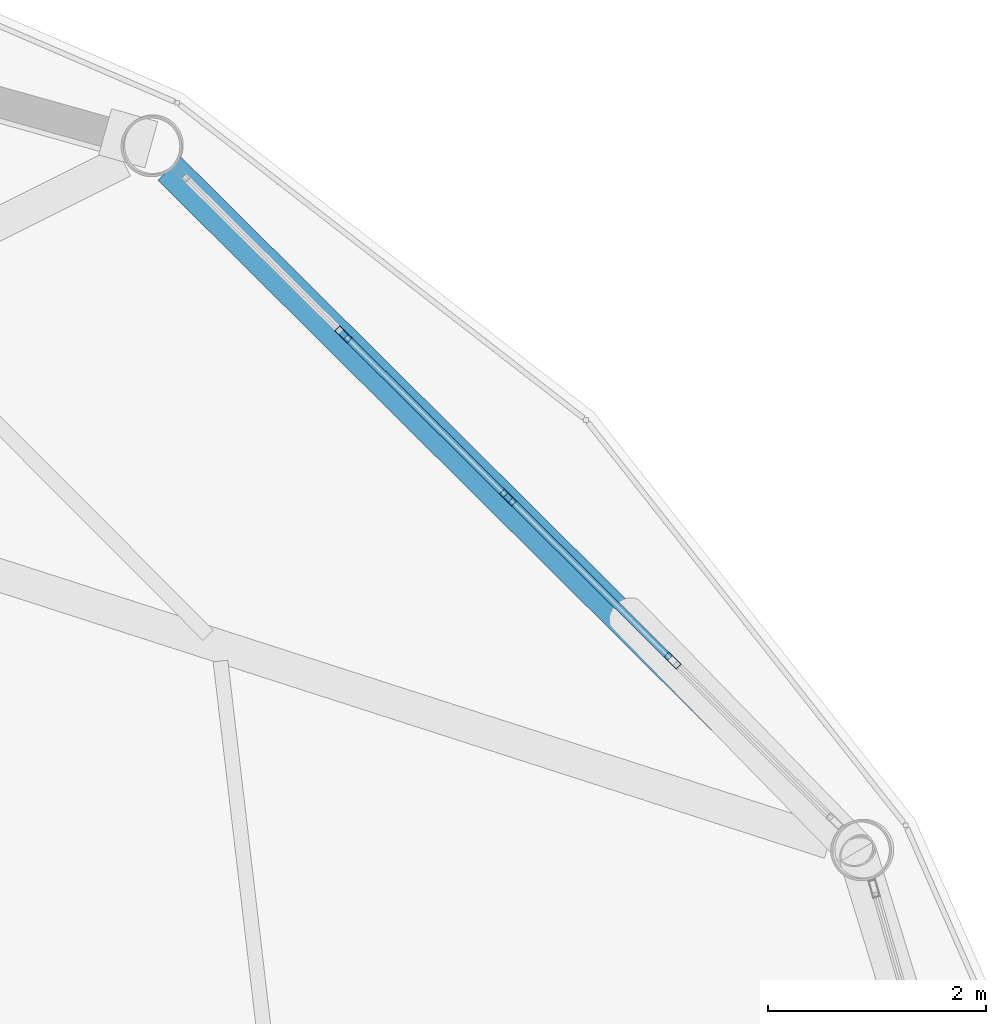
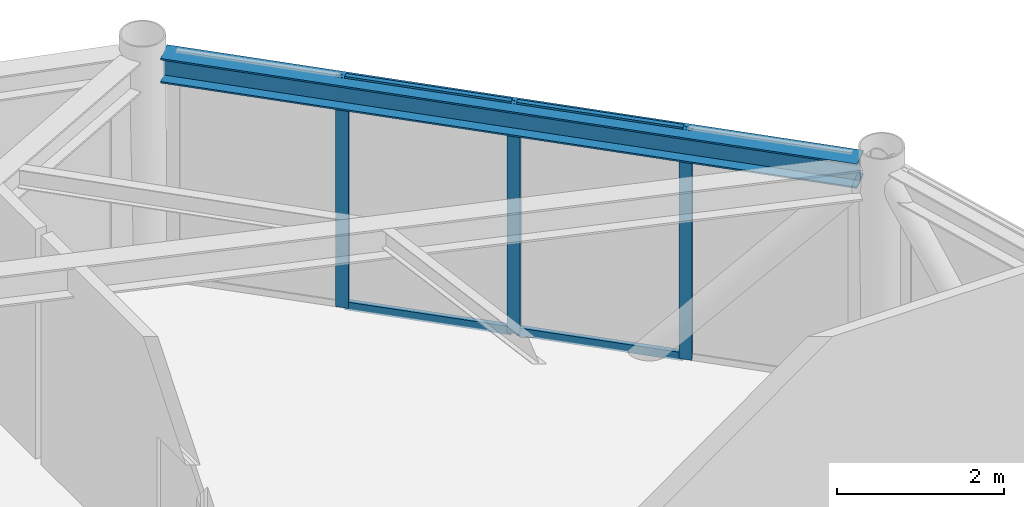
# One storey, part 13 of 25: 7 members, 1 beam, 1 element without a shape of its own.
"""IFC4 building model written with IfcOpenShell, lengths in metres."""

from ifc_helpers import new_model, si_unit, direction, frame, origin, origin_2d, place, context, subcontext, project, spatial, hollow_rectangle, i_section, extrude, material, layer, layer_set, material_profile, profile_set, type_object, element, aggregate, save


model = new_model("IFC4")

# Units and contexts
model_context = context("Model", 3, precision=1e-05, world=origin(), true_north=direction((0.0, 1.0)))
body_context = subcontext(model_context, "Body", "Model", "MODEL_VIEW")
ifc_project = project(units=[si_unit("LENGTHUNIT", "METRE"), si_unit("AREAUNIT", "SQUARE_METRE"), si_unit("VOLUMEUNIT", "CUBIC_METRE"), si_unit("PLANEANGLEUNIT", "RADIAN"), si_unit("MASSUNIT", "GRAM", prefix="KILO")], contexts=[model_context])

# Site, building, storey
site_placement = place(None, origin())
site = spatial("IfcSite", under=ifc_project, at=site_placement, CompositionType="ELEMENT")
building_placement = place(site_placement, origin())
building = spatial("IfcBuilding", under=site, at=building_placement, Name="Varnakorn Sky Granary", CompositionType="ELEMENT")
storey_placement = place(building_placement, frame((0.0, 0.0, 277.800048828125)))
storey = spatial("IfcBuildingStorey", under=building, at=storey_placement, Name="L71", CompositionType="ELEMENT", Elevation=277.800048828125)

# Beam
ifc_material_1 = material(Name="Steel S355JR", Category="steel")
ifc_material_profile_1 = material_profile(ifc_material_1, i_section(OverallWidth=0.300048828125, OverallDepth=0.360107421875, WebThickness=0.012451171875, FlangeThickness=0.0224609375, at=origin_2d()), Name="HE 360 B")
ifc_profile_set_1 = profile_set([ifc_material_profile_1], Name="Steel S355JR")
beam_type = type_object("IfcBeamType", Name="BM-SPD-Z5", PredefinedType="SPANDREL", material=ifc_profile_set_1)
beam_placement = place(storey_placement, frame((20.034423828125, 9.0029296875, 3.179931640625), z_axis=(-0.70945121475, 0.704754548683, 0.0), x_axis=(-0.704754548683, -0.70945121475, 0.0)))
element("IfcBeam", 1, at=beam_placement, inside=storey, type_object=beam_type, Name="Perimeter Spandrel Ring Beam RB02 L71", PredefinedType="SPANDREL", context=body_context, shape_type="SweptSolid", body=[
    extrude(i_section(OverallWidth=0.300048828125, OverallDepth=0.360107421875, WebThickness=0.012451171875, FlangeThickness=0.0224609375, at=origin_2d()), origin(), (0.0, 0.0, 1.0), 8.62890625),
])

# Curtain wall, members
ifc_material_2 = material(Name="Anodised Bronze Aluminium Alloy 6063-T6", Category="aluminium")
ifc_layer = layer(ifc_material_2, 0.159912109375, Name="Anodised Bronze Aluminium Alloy 6063-T6")
ifc_layer_set = layer_set([ifc_layer], Name="Anodised Bronze Aluminium Alloy 6063-T6")
curtain_wall_type = type_object("IfcCurtainWallType", Name="CW-OFF-1", PredefinedType="USERDEFINED", material=ifc_layer_set)
curtain_wall_placement = place(storey_placement, origin())
curtain_wall = element("IfcCurtainWall", 2, at=curtain_wall_placement, inside=storey, type_object=curtain_wall_type, Name="Unitised Curtain Wall CW6 CW-L71-B02", ObjectType="CURTAIN WALL", PredefinedType="USERDEFINED")
ifc_material_profile_2 = material_profile(ifc_material_2, hollow_rectangle(XDim=0.06494140625, YDim=0.159912109375, WallThickness=0.00341796875, at=origin_2d()), Name="ALU MULL 65x160")
ifc_profile_set_2 = profile_set([ifc_material_profile_2], Name="Anodised Bronze Aluminium Alloy 6063-T6")
member_type_1 = type_object("IfcMemberType", Name="CW-OFF-1-MULL", PredefinedType="MULLION", material=ifc_profile_set_2)
member_1_placement = place(storey_placement, frame((15.510009765625, 13.56396484375, 0.0), z_axis=(0.0, 0.0, 1.0), x_axis=(0.704102293926, 0.71009855632, 0.0)))
member_1 = element("IfcMember", 3, at=member_1_placement, type_object=member_type_1, Name="CW6 mullion 2", PredefinedType="MULLION", context=body_context, shape_type="SweptSolid", body=[
    extrude(hollow_rectangle(XDim=0.06494140625, YDim=0.159912109375, WallThickness=0.00341796875, at=origin_2d()), origin(), (0.0, 0.0, 1.0), 3.35986328125),
])
member_2_placement = place(storey_placement, frame((17.02001953125, 12.06689453125, 0.0), z_axis=(0.0, 0.0, 1.0), x_axis=(0.704102293926, 0.71009855632, 0.0)))
member_2 = element("IfcMember", 4, at=member_2_placement, type_object=member_type_1, Name="CW6 mullion 3", PredefinedType="MULLION", context=body_context, shape_type="SweptSolid", body=[
    extrude(hollow_rectangle(XDim=0.06494140625, YDim=0.159912109375, WallThickness=0.00341796875, at=origin_2d()), origin(), (0.0, 0.0, 1.0), 3.35986328125),
])
member_3_placement = place(storey_placement, frame((18.52978515625, 10.569580078125, 0.0), z_axis=(0.0, 0.0, 1.0), x_axis=(0.704102293926, 0.71009855632, 0.0)))
member_3 = element("IfcMember", 5, at=member_3_placement, type_object=member_type_1, Name="CW6 mullion 4", PredefinedType="MULLION", context=body_context, shape_type="SweptSolid", body=[
    extrude(hollow_rectangle(XDim=0.06494140625, YDim=0.159912109375, WallThickness=0.00341796875, at=origin_2d()), origin(), (0.0, 0.0, 1.0), 3.35986328125),
])
ifc_material_profile_3 = material_profile(ifc_material_2, hollow_rectangle(XDim=0.06494140625, YDim=0.1201171875, WallThickness=0.00341796875, at=origin_2d()), Name="ALU TRAN 65x120")
ifc_profile_set_3 = profile_set([ifc_material_profile_3], Name="Anodised Bronze Aluminium Alloy 6063-T6")
member_type_2 = type_object("IfcMemberType", Name="CW-OFF-1-TRAN", PredefinedType="USERDEFINED", material=ifc_profile_set_3)
member_4_placement = place(storey_placement, frame((15.532958984375, 13.541015625, 0.032470703125), z_axis=(0.710120356821, -0.704080307088, 0.0), x_axis=(0.704080307088, 0.710120356821, 0.0)))
member_4 = element("IfcMember", 6, at=member_4_placement, type_object=member_type_2, Name="CW6 transom 2.1", ObjectType="TRANSOM", PredefinedType="USERDEFINED", context=body_context, shape_type="SweptSolid", body=[
    extrude(hollow_rectangle(XDim=0.06494140625, YDim=0.1201171875, WallThickness=0.00341796875, at=origin_2d()), origin(), (0.0, 0.0, 1.0), 2.0615234375),
])
member_5_placement = place(storey_placement, frame((15.532958984375, 13.541015625, 3.327392578125), z_axis=(0.710120356821, -0.704080307088, 0.0), x_axis=(0.704080307088, 0.710120356821, 0.0)))
member_5 = element("IfcMember", 7, at=member_5_placement, type_object=member_type_2, Name="CW6 transom 2.2", ObjectType="TRANSOM", PredefinedType="USERDEFINED", context=body_context, shape_type="SweptSolid", body=[
    extrude(hollow_rectangle(XDim=0.06494140625, YDim=0.1201171875, WallThickness=0.00341796875, at=origin_2d()), origin(), (0.0, 0.0, 1.0), 2.0615234375),
])
member_6_placement = place(storey_placement, frame((17.04296875, 12.0439453125, 0.032470703125), z_axis=(0.710120356821, -0.704080307088, 0.0), x_axis=(0.704080307088, 0.710120356821, 0.0)))
member_6 = element("IfcMember", 8, at=member_6_placement, type_object=member_type_2, Name="CW6 transom 3.1", ObjectType="TRANSOM", PredefinedType="USERDEFINED", context=body_context, shape_type="SweptSolid", body=[
    extrude(hollow_rectangle(XDim=0.06494140625, YDim=0.1201171875, WallThickness=0.00341796875, at=origin_2d()), origin(), (0.0, 0.0, 1.0), 2.0615234375),
])
member_7_placement = place(storey_placement, frame((17.04296875, 12.0439453125, 3.327392578125), z_axis=(0.710120356821, -0.704080307088, 0.0), x_axis=(0.704080307088, 0.710120356821, 0.0)))
member_7 = element("IfcMember", 9, at=member_7_placement, type_object=member_type_2, Name="CW6 transom 3.2", ObjectType="TRANSOM", PredefinedType="USERDEFINED", context=body_context, shape_type="SweptSolid", body=[
    extrude(hollow_rectangle(XDim=0.06494140625, YDim=0.1201171875, WallThickness=0.00341796875, at=origin_2d()), origin(), (0.0, 0.0, 1.0), 2.0615234375),
])
aggregate(curtain_wall, [member_1, member_2, member_3, member_4, member_5, member_6, member_7])

save(model, "model.ifc")
